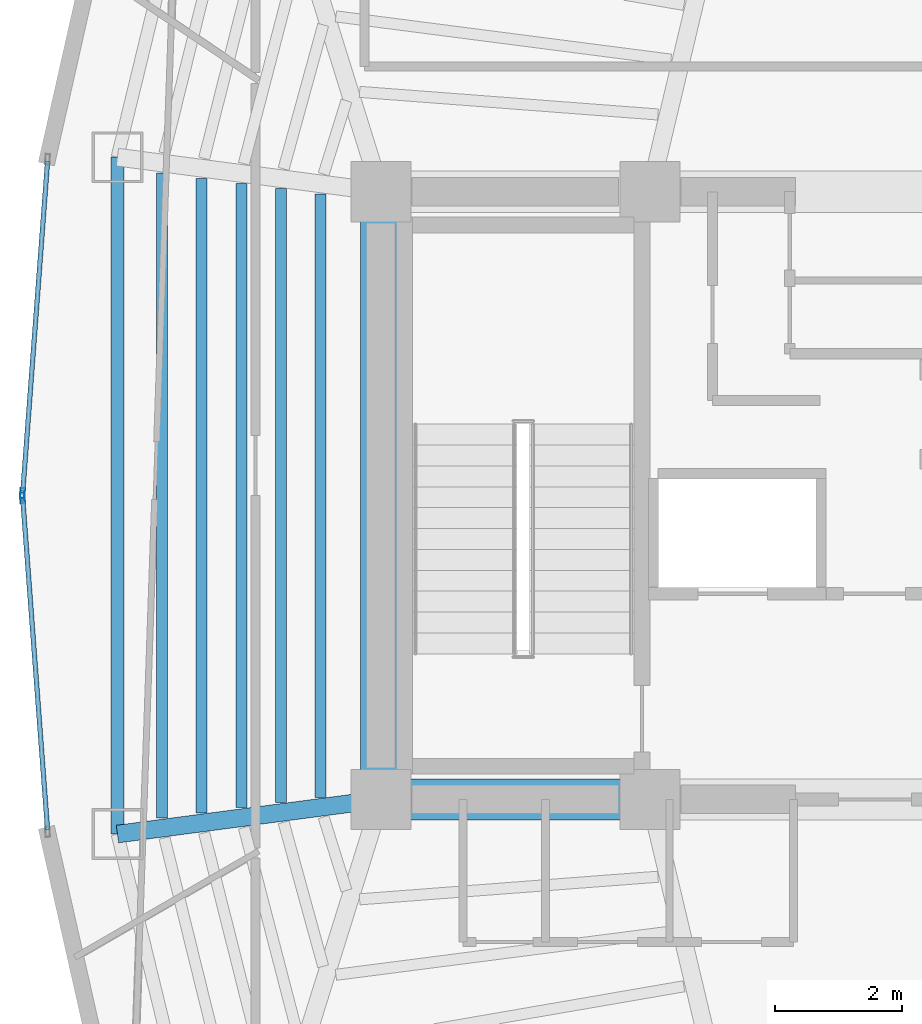
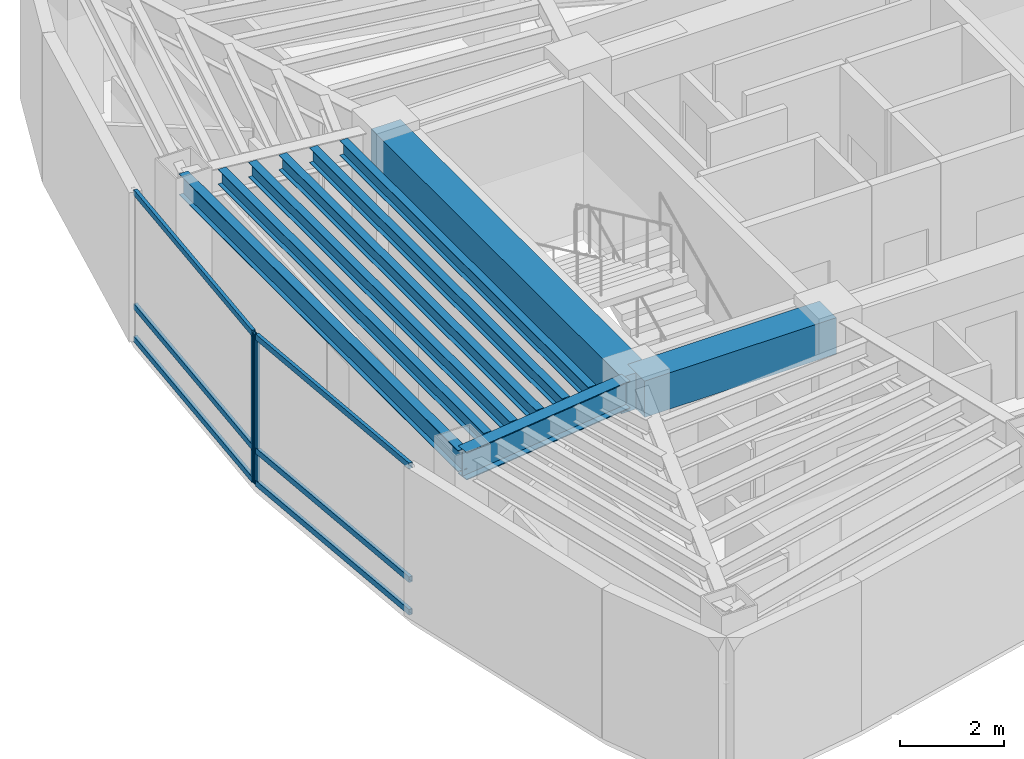
# One storey, part 4 of 16: 9 beams, 8 members, 2 elements without a shape of their own.
"""IFC4 building model written with IfcOpenShell, lengths in metres."""

from ifc_helpers import new_model, si_unit, direction, frame, origin, origin_2d, place, context, subcontext, project, spatial, rectangle, hollow_rectangle, i_section, extrude, material, layer, layer_set, material_profile, profile_set, type_object, element, aggregate, save


model = new_model("IFC4")

# Units and contexts
model_context = context("Model", 3, precision=1e-05, world=origin(), true_north=direction((0.0, 1.0)))
body_context = subcontext(model_context, "Body", "Model", "MODEL_VIEW")
ifc_project = project(units=[si_unit("LENGTHUNIT", "METRE"), si_unit("AREAUNIT", "SQUARE_METRE"), si_unit("VOLUMEUNIT", "CUBIC_METRE"), si_unit("PLANEANGLEUNIT", "RADIAN"), si_unit("MASSUNIT", "GRAM", prefix="KILO")], contexts=[model_context])

# Site, building, storey
site_placement = place(None, origin())
site = spatial("IfcSite", under=ifc_project, at=site_placement, CompositionType="ELEMENT")
building_placement = place(site_placement, origin())
building = spatial("IfcBuilding", under=site, at=building_placement, Name="Menara Vayukalpa", CompositionType="ELEMENT")
storey_placement = place(building_placement, frame((0.0, 0.0, 273.179931640625)))
storey = spatial("IfcBuildingStorey", under=building, at=storey_placement, Name="L69", CompositionType="ELEMENT", Elevation=273.179931640625)

# Beams
ifc_material_1 = material(Name="Concrete C60/75", Category="concrete")
ifc_material_profile_1 = material_profile(ifc_material_1, rectangle(XDim=0.64990234375, YDim=0.85009765625, at=origin_2d()), Name="RC 650x850")
ifc_profile_set_1 = profile_set([ifc_material_profile_1], Name="Concrete C60/75")
beam_type_1 = type_object("IfcBeamType", Name="BM-CB1", PredefinedType="BEAM", material=ifc_profile_set_1)
beam_1_placement = place(storey_placement, frame((17.800048828125, 17.199951171875, 3.074951171875), z_axis=(1.0, 0.0, 0.0), x_axis=(0.0, 1.0, 0.0)))
element("IfcBeam", 1, at=beam_1_placement, inside=storey, type_object=beam_type_1, Name="L69 Core Tie Beam CBR1", PredefinedType="BEAM", context=body_context, shape_type="SweptSolid", body=[
    extrude(rectangle(XDim=0.64990234375, YDim=0.85009765625, at=origin_2d()), origin(), (0.0, 0.0, 1.0), 4.25),
])
beam_2_placement = place(storey_placement, frame((17.800048828125, 17.199951171875, 3.074951171875), z_axis=(0.0, 1.0, 0.0), x_axis=(-1.0, 0.0, 0.0)))
element("IfcBeam", 2, at=beam_2_placement, inside=storey, type_object=beam_type_1, Name="L69 Core Tie Beam CBR7", PredefinedType="BEAM", context=body_context, shape_type="SweptSolid", body=[
    extrude(rectangle(XDim=0.64990234375, YDim=0.85009765625, at=origin_2d()), origin(), (0.0, 0.0, 1.0), 9.60009765625),
])
ifc_material_2 = material(Name="Steel S355", Category="steel")
ifc_material_profile_2 = material_profile(ifc_material_2, i_section(OverallWidth=0.280029296875, OverallDepth=0.64990234375, WebThickness=0.012939453125, FlangeThickness=0.02197265625, at=origin_2d()), Name="WF 650x280x13x22")
ifc_profile_set_2 = profile_set([ifc_material_profile_2], Name="Steel S355")
beam_type_2 = type_object("IfcBeamType", Name="BM-PG6", PredefinedType="BEAM", material=ifc_profile_set_2)
beam_3_placement = place(storey_placement, frame((17.552001953125, 17.16748046875, 3.175048828125), z_axis=(-0.991477860763, -0.130275291662, 0.0), x_axis=(0.130275291662, -0.991477860763, 0.0)))
element("IfcBeam", 3, at=beam_3_placement, inside=storey, type_object=beam_type_2, Name="L69 Primary Radial Girder RG06", PredefinedType="BEAM", context=body_context, shape_type="SweptSolid", body=[
    extrude(i_section(OverallWidth=0.280029296875, OverallDepth=0.64990234375, WebThickness=0.012939453125, FlangeThickness=0.02197265625, at=origin_2d()), origin(), (0.0, 0.0, 1.0), 3.94677734375),
])
ifc_material_3 = material(Name="Steel S355", Category="steel")
ifc_material_profile_3 = material_profile(ifc_material_3, i_section(OverallWidth=0.175048828125, OverallDepth=0.35009765625, WebThickness=0.007080078125, FlangeThickness=0.010986328125, at=origin_2d()), Name="WF 350x175x7x11")
ifc_profile_set_3 = profile_set([ifc_material_profile_3], Name="Steel S355")
beam_type_3 = type_object("IfcBeamType", Name="BM-SJ3", PredefinedType="JOIST", material=ifc_profile_set_3)
beam_4_placement = place(storey_placement, frame((16.84765625, 26.76513671875, 3.324951171875), z_axis=(0.0, -1.0, 0.0), x_axis=(1.0, 0.0, 0.0)))
element("IfcBeam", 4, at=beam_4_placement, inside=storey, type_object=beam_type_3, Name="L69 Secondary Floor Joist SJ05-1", PredefinedType="JOIST", context=body_context, shape_type="SweptSolid", body=[
    extrude(i_section(OverallWidth=0.175048828125, OverallDepth=0.35009765625, WebThickness=0.007080078125, FlangeThickness=0.010986328125, at=origin_2d()), origin(), (0.0, 0.0, 1.0), 9.5302734375),
])
beam_5_placement = place(storey_placement, frame((16.2216796875, 26.847412109375, 3.324951171875), z_axis=(0.0, -1.0, 0.0), x_axis=(1.0, 0.0, 0.0)))
element("IfcBeam", 5, at=beam_5_placement, inside=storey, type_object=beam_type_3, Name="L69 Secondary Floor Joist SJ05-2", PredefinedType="JOIST", context=body_context, shape_type="SweptSolid", body=[
    extrude(i_section(OverallWidth=0.175048828125, OverallDepth=0.35009765625, WebThickness=0.007080078125, FlangeThickness=0.010986328125, at=origin_2d()), origin(), (0.0, 0.0, 1.0), 9.69482421875),
])
beam_6_placement = place(storey_placement, frame((15.595458984375, 26.9296875, 3.324951171875), z_axis=(0.0, -1.0, 0.0), x_axis=(1.0, 0.0, 0.0)))
element("IfcBeam", 6, at=beam_6_placement, inside=storey, type_object=beam_type_3, Name="L69 Secondary Floor Joist SJ05-3", PredefinedType="JOIST", context=body_context, shape_type="SweptSolid", body=[
    extrude(i_section(OverallWidth=0.175048828125, OverallDepth=0.35009765625, WebThickness=0.007080078125, FlangeThickness=0.010986328125, at=origin_2d()), origin(), (0.0, 0.0, 1.0), 9.859375),
])
beam_7_placement = place(storey_placement, frame((14.969482421875, 27.011962890625, 3.324951171875), z_axis=(0.0, -1.0, 0.0), x_axis=(1.0, 0.0, 0.0)))
element("IfcBeam", 7, at=beam_7_placement, inside=storey, type_object=beam_type_3, Name="L69 Secondary Floor Joist SJ05-4", PredefinedType="JOIST", context=body_context, shape_type="SweptSolid", body=[
    extrude(i_section(OverallWidth=0.175048828125, OverallDepth=0.35009765625, WebThickness=0.007080078125, FlangeThickness=0.010986328125, at=origin_2d()), origin(), (0.0, 0.0, 1.0), 10.02392578125),
])
beam_8_placement = place(storey_placement, frame((14.343505859375, 27.09423828125, 3.324951171875), z_axis=(0.0, -1.0, 0.0), x_axis=(1.0, 0.0, 0.0)))
element("IfcBeam", 8, at=beam_8_placement, inside=storey, type_object=beam_type_3, Name="L69 Secondary Floor Joist SJ05-5", PredefinedType="JOIST", context=body_context, shape_type="SweptSolid", body=[
    extrude(i_section(OverallWidth=0.175048828125, OverallDepth=0.35009765625, WebThickness=0.007080078125, FlangeThickness=0.010986328125, at=origin_2d()), origin(), (0.0, 0.0, 1.0), 10.1884765625),
])
ifc_material_4 = material(Name="Steel S355", Category="steel")
ifc_material_profile_4 = material_profile(ifc_material_4, i_section(OverallWidth=0.199951171875, OverallDepth=0.5, WebThickness=0.010009765625, FlangeThickness=0.01611328125, at=origin_2d()), Name="WF 500x200x10x16")
ifc_profile_set_4 = profile_set([ifc_material_profile_4], Name="Steel S355")
beam_type_4 = type_object("IfcBeamType", Name="BM-SP3", PredefinedType="SPANDREL", material=ifc_profile_set_4)
beam_9_placement = place(storey_placement, frame((13.638916015625, 27.3466796875, 3.25), z_axis=(0.0, -1.0, 0.0), x_axis=(1.0, 0.0, 0.0)))
element("IfcBeam", 9, at=beam_9_placement, inside=storey, type_object=beam_type_4, Name="L69 Perimeter Spandrel Beam SP05", PredefinedType="SPANDREL", context=body_context, shape_type="SweptSolid", body=[
    extrude(i_section(OverallWidth=0.199951171875, OverallDepth=0.5, WebThickness=0.010009765625, FlangeThickness=0.01611328125, at=origin_2d()), origin(), (0.0, 0.0, 1.0), 10.693359375),
])

# Curtain wall, member
ifc_material_5 = material(Name="Anodised Terracotta Aluminium Alloy 6063-T6", Category="masonry")
ifc_layer = layer(ifc_material_5, 0.1650390625)
ifc_layer_set = layer_set([ifc_layer], Name="Anodised Terracotta Aluminium Alloy 6063-T6")
curtain_wall_type = type_object("IfcCurtainWallType", Name="CW-CW6", PredefinedType="USERDEFINED", material=ifc_layer_set)
curtain_wall_1_placement = place(storey_placement, origin())
curtain_wall_1 = element("IfcCurtainWall", 10, at=curtain_wall_1_placement, inside=storey, type_object=curtain_wall_type, Name="L69 Observation and Executive Curtain Wall CW6 10", ObjectType="UNITISED", PredefinedType="USERDEFINED")
ifc_material_6 = material(Name="Anodised Terracotta Aluminium Alloy 6063-T6", Category="masonry")
ifc_material_profile_5 = material_profile(ifc_material_6, hollow_rectangle(XDim=0.070068359375, YDim=0.1650390625, WallThickness=0.00390625, at=origin_2d()), Name="ALU 70x165x4")
ifc_profile_set_5 = profile_set([ifc_material_profile_5], Name="Anodised Terracotta Aluminium Alloy 6063-T6")
member_type_1 = type_object("IfcMemberType", Name="CWM-CW6", PredefinedType="MULLION", material=ifc_profile_set_5)
member_1_placement = place(storey_placement, frame((12.140625, 22.034912109375, 0.0), z_axis=(0.0, 0.0, 1.0), x_axis=(0.997199344663, -0.074789484574, 0.0)))
member_1 = element("IfcMember", 11, at=member_1_placement, type_object=member_type_1, Name="CW6 mullion 2", PredefinedType="MULLION", context=body_context, shape_type="SweptSolid", body=[
    extrude(hollow_rectangle(XDim=0.070068359375, YDim=0.1650390625, WallThickness=0.00390625, at=origin_2d()), origin(), (0.0, 0.0, 1.0), 3.5),
])

curtain_wall_2_placement = place(storey_placement, origin())
curtain_wall_2 = element("IfcCurtainWall", 12, at=curtain_wall_2_placement, inside=storey, type_object=curtain_wall_type, Name="L69 Observation and Executive Curtain Wall CW6 11", ObjectType="UNITISED", PredefinedType="USERDEFINED")
member_2_placement = place(storey_placement, frame((12.140625, 21.965087890625, 0.0), z_axis=(0.0, 0.0, 1.0), x_axis=(0.997199344663, 0.074789484574, 0.0)))
member_2 = element("IfcMember", 13, at=member_2_placement, type_object=member_type_1, Name="CW6 mullion 1", PredefinedType="MULLION", context=body_context, shape_type="SweptSolid", body=[
    extrude(hollow_rectangle(XDim=0.070068359375, YDim=0.1650390625, WallThickness=0.00390625, at=origin_2d()), origin(), (0.0, 0.0, 1.0), 3.5),
])

# Member
ifc_material_7 = material(Name="Anodised Terracotta Aluminium Alloy 6063-T6", Category="masonry")
ifc_material_profile_6 = material_profile(ifc_material_7, hollow_rectangle(XDim=0.074951171875, YDim=0.135009765625, WallThickness=0.00390625, at=origin_2d()), Name="ALU 75x135x4")
ifc_profile_set_6 = profile_set([ifc_material_profile_6], Name="Anodised Terracotta Aluminium Alloy 6063-T6")
member_type_2 = type_object("IfcMemberType", Name="CWT-CW6", PredefinedType="USERDEFINED", material=ifc_profile_set_6)
member_3_placement = place(storey_placement, frame((12.53369140625, 27.27685546875, 0.03759765625), z_axis=(-0.074762051827, -0.997201401727, 0.0), x_axis=(0.997201401727, -0.074762051827, 0.0)))
member_3 = element("IfcMember", 14, at=member_3_placement, type_object=member_type_2, Name="CW6 transom 1.1", ObjectType="TRANSOM", PredefinedType="USERDEFINED", context=body_context, shape_type="SweptSolid", body=[
    extrude(hollow_rectangle(XDim=0.074951171875, YDim=0.135009765625, WallThickness=0.00390625, at=origin_2d()), origin(), (0.0, 0.0, 1.0), 5.2216796875),
])

member_4_placement = place(storey_placement, frame((12.53369140625, 27.27685546875, 0.800048828125), z_axis=(-0.074762051827, -0.997201401727, 0.0), x_axis=(0.997201401727, -0.074762051827, 0.0)))
member_4 = element("IfcMember", 15, at=member_4_placement, type_object=member_type_2, Name="CW6 transom 1.2", ObjectType="TRANSOM", PredefinedType="USERDEFINED", context=body_context, shape_type="SweptSolid", body=[
    extrude(hollow_rectangle(XDim=0.074951171875, YDim=0.135009765625, WallThickness=0.00390625, at=origin_2d()), origin(), (0.0, 0.0, 1.0), 5.2216796875),
])

member_5_placement = place(storey_placement, frame((12.53369140625, 27.27685546875, 3.462646484375), z_axis=(-0.074762051827, -0.997201401727, 0.0), x_axis=(0.997201401727, -0.074762051827, 0.0)))
member_5 = element("IfcMember", 16, at=member_5_placement, type_object=member_type_2, Name="CW6 transom 1.3", ObjectType="TRANSOM", PredefinedType="USERDEFINED", context=body_context, shape_type="SweptSolid", body=[
    extrude(hollow_rectangle(XDim=0.074951171875, YDim=0.135009765625, WallThickness=0.00390625, at=origin_2d()), origin(), (0.0, 0.0, 1.0), 5.2216796875),
])

aggregate(curtain_wall_1, [member_1, member_3, member_4, member_5])

member_6_placement = place(storey_placement, frame((12.143310546875, 21.93017578125, 0.03759765625), z_axis=(0.074762051827, -0.997201401727, 0.0), x_axis=(0.997201401727, 0.074762051827, 0.0)))
member_6 = element("IfcMember", 17, at=member_6_placement, type_object=member_type_2, Name="CW6 transom 1.1", ObjectType="TRANSOM", PredefinedType="USERDEFINED", context=body_context, shape_type="SweptSolid", body=[
    extrude(hollow_rectangle(XDim=0.074951171875, YDim=0.135009765625, WallThickness=0.00390625, at=origin_2d()), origin(), (0.0, 0.0, 1.0), 5.2216796875),
])

member_7_placement = place(storey_placement, frame((12.143310546875, 21.93017578125, 0.800048828125), z_axis=(0.074762051827, -0.997201401727, 0.0), x_axis=(0.997201401727, 0.074762051827, 0.0)))
member_7 = element("IfcMember", 18, at=member_7_placement, type_object=member_type_2, Name="CW6 transom 1.2", ObjectType="TRANSOM", PredefinedType="USERDEFINED", context=body_context, shape_type="SweptSolid", body=[
    extrude(hollow_rectangle(XDim=0.074951171875, YDim=0.135009765625, WallThickness=0.00390625, at=origin_2d()), origin(), (0.0, 0.0, 1.0), 5.2216796875),
])

member_8_placement = place(storey_placement, frame((12.143310546875, 21.93017578125, 3.462646484375), z_axis=(0.074762051827, -0.997201401727, 0.0), x_axis=(0.997201401727, 0.074762051827, 0.0)))
member_8 = element("IfcMember", 19, at=member_8_placement, type_object=member_type_2, Name="CW6 transom 1.3", ObjectType="TRANSOM", PredefinedType="USERDEFINED", context=body_context, shape_type="SweptSolid", body=[
    extrude(hollow_rectangle(XDim=0.074951171875, YDim=0.135009765625, WallThickness=0.00390625, at=origin_2d()), origin(), (0.0, 0.0, 1.0), 5.2216796875),
])

aggregate(curtain_wall_2, [member_2, member_6, member_7, member_8])

save(model, "model.ifc")
